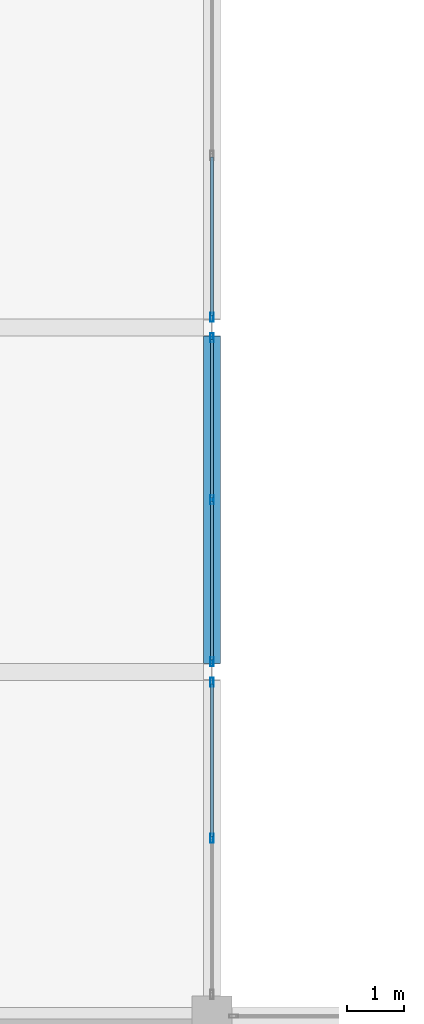
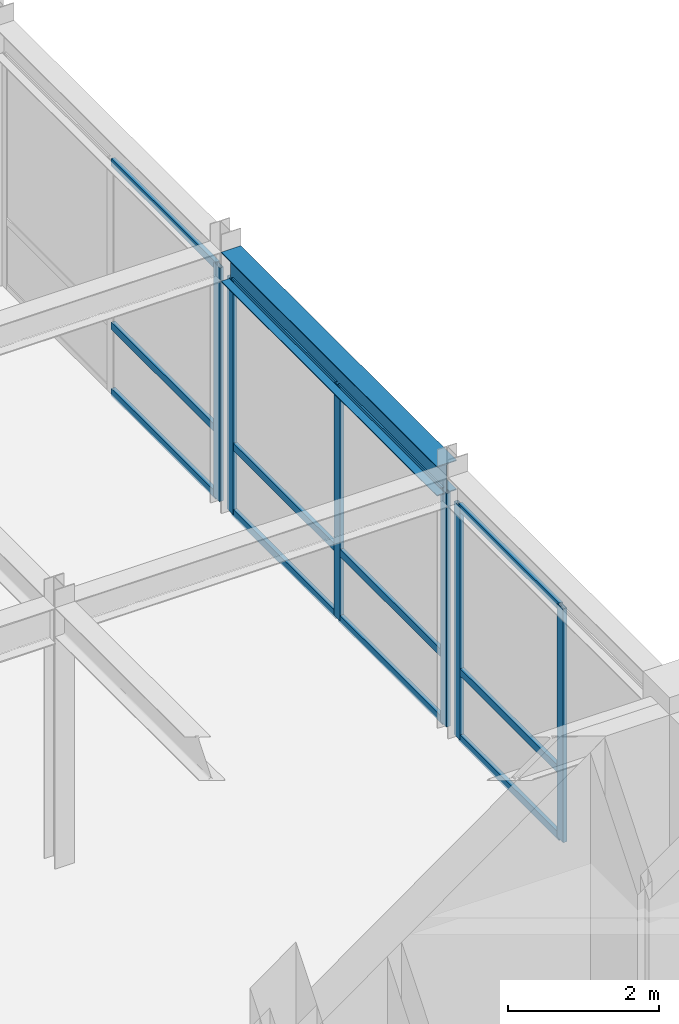
# One storey, part 39 of 108: 18 members, 1 beam, 3 elements without a shape of their own.
"""IFC4 building model written with IfcOpenShell, lengths in metres."""

from ifc_helpers import new_model, si_unit, direction, frame, origin, origin_2d, place, context, subcontext, project, spatial, hollow_rectangle, i_section, extrude, material, layer, layer_set, material_profile, profile_set, type_object, element, aggregate, save


model = new_model("IFC4")

# Units and contexts
model_context = context("Model", 3, precision=1e-05, world=origin(), true_north=direction((0.0, 1.0)))
body_context = subcontext(model_context, "Body", "Model", "MODEL_VIEW")
ifc_project = project(units=[si_unit("LENGTHUNIT", "METRE"), si_unit("AREAUNIT", "SQUARE_METRE"), si_unit("VOLUMEUNIT", "CUBIC_METRE"), si_unit("PLANEANGLEUNIT", "RADIAN"), si_unit("MASSUNIT", "GRAM", prefix="KILO")], contexts=[model_context])

# Site, building, storey
site_placement = place(None, origin())
site = spatial("IfcSite", under=ifc_project, at=site_placement, CompositionType="ELEMENT")
building_placement = place(site_placement, origin())
building = spatial("IfcBuilding", under=site, at=building_placement, Name="Zlatovratsky Civic Hall", CompositionType="ELEMENT")
storey_placement = place(building_placement, frame((0.0, 0.0, 12.0)))
storey = spatial("IfcBuildingStorey", under=building, at=storey_placement, Name="L03", CompositionType="ELEMENT", Elevation=12.0)

# Beam
ifc_material_1 = material(Name="Steel S355", Category="steel")
ifc_material_profile_1 = material_profile(ifc_material_1, i_section(OverallWidth=0.300048828125, OverallDepth=0.48193359375, WebThickness=0.010986328125, FlangeThickness=0.014892578125, FilletRadius=0.02392578125, at=origin_2d()), Name="50Sh1")
ifc_profile_set_1 = profile_set([ifc_material_profile_1], Name="Steel S355")
beam_type = type_object("IfcBeamType", Name="Beam_LibraryGirder_50Sh1", PredefinedType="BEAM", material=ifc_profile_set_1)
beam_placement = place(storey_placement, frame((18.0, 36.14794921875, 3.97900390625), z_axis=(0.0, 1.0, 0.0), x_axis=(-1.0, 0.0, 0.0)))
element("IfcBeam", 1, at=beam_placement, inside=storey, type_object=beam_type, Name="BM-2831", PredefinedType="BEAM", context=body_context, shape_type="SweptSolid", body=[
    extrude(i_section(OverallWidth=0.300048828125, OverallDepth=0.48193359375, WebThickness=0.010986328125, FlangeThickness=0.014892578125, FilletRadius=0.02392578125, at=origin_2d()), origin(), (0.0, 0.0, 1.0), 5.7041015625),
])

# Curtain wall, members
ifc_material_2 = material(Name="Anodised bronze aluminium", Category="aluminium")
ifc_layer_1 = layer(ifc_material_2, 0.159912109375)
ifc_layer_set_1 = layer_set([ifc_layer_1], Name="Anodised bronze aluminium")
curtain_wall_type_1 = type_object("IfcCurtainWallType", Name="CurtainWall_Bronze_5500x3770_10", PredefinedType="NOTDEFINED", material=ifc_layer_set_1)
curtain_wall_1_placement = place(storey_placement, origin())
curtain_wall_1 = element("IfcCurtainWall", 2, at=curtain_wall_1_placement, inside=storey, type_object=curtain_wall_type_1, Name="CW-057", PredefinedType="NOTDEFINED")
ifc_material_profile_2 = material_profile(ifc_material_2, hollow_rectangle(XDim=0.06005859375, YDim=0.159912109375, WallThickness=0.00390625, at=origin_2d()), Name="ALU 60x160x4")
ifc_profile_set_2 = profile_set([ifc_material_profile_2], Name="Anodised bronze aluminium")
member_type_1 = type_object("IfcMemberType", Name="CW_Mullion_60x160", PredefinedType="MULLION", material=ifc_profile_set_2)
member_1_placement = place(storey_placement, frame((18.0, 33.10107421875, 0.0), z_axis=(0.0, 0.0, 1.0), x_axis=(-1.0, 0.0, 0.0)))
member_1 = element("IfcMember", 3, at=member_1_placement, type_object=member_type_1, Name="CW-10 mullion 2", PredefinedType="MULLION", context=body_context, shape_type="SweptSolid", body=[
    extrude(hollow_rectangle(XDim=0.06005859375, YDim=0.159912109375, WallThickness=0.00390625, at=origin_2d()), origin(), (0.0, 0.0, 1.0), 3.77001953125),
])
member_2_placement = place(storey_placement, frame((18.0, 35.822021484375, 0.0), z_axis=(0.0, 0.0, 1.0), x_axis=(-1.0, 0.0, 0.0)))
member_2 = element("IfcMember", 4, at=member_2_placement, type_object=member_type_1, Name="CW-10 mullion 3", PredefinedType="MULLION", context=body_context, shape_type="SweptSolid", body=[
    extrude(hollow_rectangle(XDim=0.06005859375, YDim=0.159912109375, WallThickness=0.00390625, at=origin_2d()), origin(), (0.0, 0.0, 1.0), 3.77001953125),
])

ifc_layer_2 = layer(ifc_material_2, 0.159912109375)
ifc_layer_set_2 = layer_set([ifc_layer_2], Name="Anodised bronze aluminium")
curtain_wall_type_2 = type_object("IfcCurtainWallType", Name="CurtainWall_Bronze_5700x3770_12", PredefinedType="NOTDEFINED", material=ifc_layer_set_2)
curtain_wall_2_placement = place(storey_placement, origin())
curtain_wall_2 = element("IfcCurtainWall", 5, at=curtain_wall_2_placement, inside=storey, type_object=curtain_wall_type_2, Name="CW-058", PredefinedType="NOTDEFINED")
member_3_placement = place(storey_placement, frame((18.0, 36.177978515625, 0.0), z_axis=(0.0, 0.0, 1.0), x_axis=(-1.0, 0.0, 0.0)))
member_3 = element("IfcMember", 6, at=member_3_placement, type_object=member_type_1, Name="CW-12 mullion 1", PredefinedType="MULLION", context=body_context, shape_type="SweptSolid", body=[
    extrude(hollow_rectangle(XDim=0.06005859375, YDim=0.159912109375, WallThickness=0.00390625, at=origin_2d()), origin(), (0.0, 0.0, 1.0), 3.77001953125),
])
member_4_placement = place(storey_placement, frame((18.0, 39.0, 0.0), z_axis=(0.0, 0.0, 1.0), x_axis=(-1.0, 0.0, 0.0)))
member_4 = element("IfcMember", 7, at=member_4_placement, type_object=member_type_1, Name="CW-12 mullion 2", PredefinedType="MULLION", context=body_context, shape_type="SweptSolid", body=[
    extrude(hollow_rectangle(XDim=0.06005859375, YDim=0.159912109375, WallThickness=0.00390625, at=origin_2d()), origin(), (0.0, 0.0, 1.0), 3.77001953125),
])
member_5_placement = place(storey_placement, frame((18.0, 41.822021484375, 0.0), z_axis=(0.0, 0.0, 1.0), x_axis=(-1.0, 0.0, 0.0)))
member_5 = element("IfcMember", 8, at=member_5_placement, type_object=member_type_1, Name="CW-12 mullion 3", PredefinedType="MULLION", context=body_context, shape_type="SweptSolid", body=[
    extrude(hollow_rectangle(XDim=0.06005859375, YDim=0.159912109375, WallThickness=0.00390625, at=origin_2d()), origin(), (0.0, 0.0, 1.0), 3.77001953125),
])

# Curtain wall, member
curtain_wall_3_placement = place(storey_placement, origin())
curtain_wall_3 = element("IfcCurtainWall", 9, at=curtain_wall_3_placement, inside=storey, type_object=curtain_wall_type_2, Name="CW-059", PredefinedType="NOTDEFINED")
member_6_placement = place(storey_placement, frame((18.0, 42.177978515625, 0.0), z_axis=(0.0, 0.0, 1.0), x_axis=(-1.0, 0.0, 0.0)))
member_6 = element("IfcMember", 10, at=member_6_placement, type_object=member_type_1, Name="CW-12 mullion 1", PredefinedType="MULLION", context=body_context, shape_type="SweptSolid", body=[
    extrude(hollow_rectangle(XDim=0.06005859375, YDim=0.159912109375, WallThickness=0.00390625, at=origin_2d()), origin(), (0.0, 0.0, 1.0), 3.77001953125),
])

# Member
ifc_material_profile_3 = material_profile(ifc_material_2, hollow_rectangle(XDim=0.06005859375, YDim=0.1201171875, WallThickness=0.00390625, at=origin_2d()), Name="ALU 60x120x4")
ifc_profile_set_3 = profile_set([ifc_material_profile_3], Name="Anodised bronze aluminium")
member_type_2 = type_object("IfcMemberType", Name="CW_Transom_60x120", PredefinedType="USERDEFINED", material=ifc_profile_set_3)
member_7_placement = place(storey_placement, frame((18.0, 33.131103515625, 0.030029296875), z_axis=(0.0, 1.0, 0.0), x_axis=(-1.0, 0.0, 0.0)))
member_7 = element("IfcMember", 11, at=member_7_placement, type_object=member_type_2, Name="CW-10 transom 2.1", ObjectType="TRANSOM", PredefinedType="USERDEFINED", context=body_context, shape_type="SweptSolid", body=[
    extrude(hollow_rectangle(XDim=0.06005859375, YDim=0.1201171875, WallThickness=0.00390625, at=origin_2d()), origin(), (0.0, 0.0, 1.0), 2.660888671875),
])

member_8_placement = place(storey_placement, frame((18.0, 33.131103515625, 1.10009765625), z_axis=(0.0, 1.0, 0.0), x_axis=(-1.0, 0.0, 0.0)))
member_8 = element("IfcMember", 12, at=member_8_placement, type_object=member_type_2, Name="CW-10 transom 2.2", ObjectType="TRANSOM", PredefinedType="USERDEFINED", context=body_context, shape_type="SweptSolid", body=[
    extrude(hollow_rectangle(XDim=0.06005859375, YDim=0.1201171875, WallThickness=0.00390625, at=origin_2d()), origin(), (0.0, 0.0, 1.0), 2.660888671875),
])

member_9_placement = place(storey_placement, frame((18.0, 33.131103515625, 3.739990234375), z_axis=(0.0, 1.0, 0.0), x_axis=(-1.0, 0.0, 0.0)))
member_9 = element("IfcMember", 13, at=member_9_placement, type_object=member_type_2, Name="CW-10 transom 2.3", ObjectType="TRANSOM", PredefinedType="USERDEFINED", context=body_context, shape_type="SweptSolid", body=[
    extrude(hollow_rectangle(XDim=0.06005859375, YDim=0.1201171875, WallThickness=0.00390625, at=origin_2d()), origin(), (0.0, 0.0, 1.0), 2.660888671875),
])

aggregate(curtain_wall_1, [member_1, member_2, member_7, member_8, member_9])

member_10_placement = place(storey_placement, frame((18.0, 36.2080078125, 0.030029296875), z_axis=(0.0, 1.0, 0.0), x_axis=(-1.0, 0.0, 0.0)))
member_10 = element("IfcMember", 14, at=member_10_placement, type_object=member_type_2, Name="CW-12 transom 1.1", ObjectType="TRANSOM", PredefinedType="USERDEFINED", context=body_context, shape_type="SweptSolid", body=[
    extrude(hollow_rectangle(XDim=0.06005859375, YDim=0.1201171875, WallThickness=0.00390625, at=origin_2d()), origin(), (0.0, 0.0, 1.0), 2.761962890625),
])

member_11_placement = place(storey_placement, frame((18.0, 36.2080078125, 1.10009765625), z_axis=(0.0, 1.0, 0.0), x_axis=(-1.0, 0.0, 0.0)))
member_11 = element("IfcMember", 15, at=member_11_placement, type_object=member_type_2, Name="CW-12 transom 1.2", ObjectType="TRANSOM", PredefinedType="USERDEFINED", context=body_context, shape_type="SweptSolid", body=[
    extrude(hollow_rectangle(XDim=0.06005859375, YDim=0.1201171875, WallThickness=0.00390625, at=origin_2d()), origin(), (0.0, 0.0, 1.0), 2.761962890625),
])

member_12_placement = place(storey_placement, frame((18.0, 36.2080078125, 3.739990234375), z_axis=(0.0, 1.0, 0.0), x_axis=(-1.0, 0.0, 0.0)))
member_12 = element("IfcMember", 16, at=member_12_placement, type_object=member_type_2, Name="CW-12 transom 1.3", ObjectType="TRANSOM", PredefinedType="USERDEFINED", context=body_context, shape_type="SweptSolid", body=[
    extrude(hollow_rectangle(XDim=0.06005859375, YDim=0.1201171875, WallThickness=0.00390625, at=origin_2d()), origin(), (0.0, 0.0, 1.0), 2.761962890625),
])

member_13_placement = place(storey_placement, frame((18.0, 39.030029296875, 0.030029296875), z_axis=(0.0, 1.0, 0.0), x_axis=(-1.0, 0.0, 0.0)))
member_13 = element("IfcMember", 17, at=member_13_placement, type_object=member_type_2, Name="CW-12 transom 2.1", ObjectType="TRANSOM", PredefinedType="USERDEFINED", context=body_context, shape_type="SweptSolid", body=[
    extrude(hollow_rectangle(XDim=0.06005859375, YDim=0.1201171875, WallThickness=0.00390625, at=origin_2d()), origin(), (0.0, 0.0, 1.0), 2.761962890625),
])

member_14_placement = place(storey_placement, frame((18.0, 39.030029296875, 1.10009765625), z_axis=(0.0, 1.0, 0.0), x_axis=(-1.0, 0.0, 0.0)))
member_14 = element("IfcMember", 18, at=member_14_placement, type_object=member_type_2, Name="CW-12 transom 2.2", ObjectType="TRANSOM", PredefinedType="USERDEFINED", context=body_context, shape_type="SweptSolid", body=[
    extrude(hollow_rectangle(XDim=0.06005859375, YDim=0.1201171875, WallThickness=0.00390625, at=origin_2d()), origin(), (0.0, 0.0, 1.0), 2.761962890625),
])

member_15_placement = place(storey_placement, frame((18.0, 39.030029296875, 3.739990234375), z_axis=(0.0, 1.0, 0.0), x_axis=(-1.0, 0.0, 0.0)))
member_15 = element("IfcMember", 19, at=member_15_placement, type_object=member_type_2, Name="CW-12 transom 2.3", ObjectType="TRANSOM", PredefinedType="USERDEFINED", context=body_context, shape_type="SweptSolid", body=[
    extrude(hollow_rectangle(XDim=0.06005859375, YDim=0.1201171875, WallThickness=0.00390625, at=origin_2d()), origin(), (0.0, 0.0, 1.0), 2.761962890625),
])

aggregate(curtain_wall_2, [member_3, member_4, member_5, member_10, member_11, member_12, member_13, member_14, member_15])

member_16_placement = place(storey_placement, frame((18.0, 42.2080078125, 0.030029296875), z_axis=(0.0, 1.0, 0.0), x_axis=(-1.0, 0.0, 0.0)))
member_16 = element("IfcMember", 20, at=member_16_placement, type_object=member_type_2, Name="CW-12 transom 1.1", ObjectType="TRANSOM", PredefinedType="USERDEFINED", context=body_context, shape_type="SweptSolid", body=[
    extrude(hollow_rectangle(XDim=0.06005859375, YDim=0.1201171875, WallThickness=0.00390625, at=origin_2d()), origin(), (0.0, 0.0, 1.0), 2.761962890625),
])

member_17_placement = place(storey_placement, frame((18.0, 42.2080078125, 1.10009765625), z_axis=(0.0, 1.0, 0.0), x_axis=(-1.0, 0.0, 0.0)))
member_17 = element("IfcMember", 21, at=member_17_placement, type_object=member_type_2, Name="CW-12 transom 1.2", ObjectType="TRANSOM", PredefinedType="USERDEFINED", context=body_context, shape_type="SweptSolid", body=[
    extrude(hollow_rectangle(XDim=0.06005859375, YDim=0.1201171875, WallThickness=0.00390625, at=origin_2d()), origin(), (0.0, 0.0, 1.0), 2.761962890625),
])

member_18_placement = place(storey_placement, frame((18.0, 42.2080078125, 3.739990234375), z_axis=(0.0, 1.0, 0.0), x_axis=(-1.0, 0.0, 0.0)))
member_18 = element("IfcMember", 22, at=member_18_placement, type_object=member_type_2, Name="CW-12 transom 1.3", ObjectType="TRANSOM", PredefinedType="USERDEFINED", context=body_context, shape_type="SweptSolid", body=[
    extrude(hollow_rectangle(XDim=0.06005859375, YDim=0.1201171875, WallThickness=0.00390625, at=origin_2d()), origin(), (0.0, 0.0, 1.0), 2.761962890625),
])

aggregate(curtain_wall_3, [member_6, member_16, member_17, member_18])

save(model, "model.ifc")
